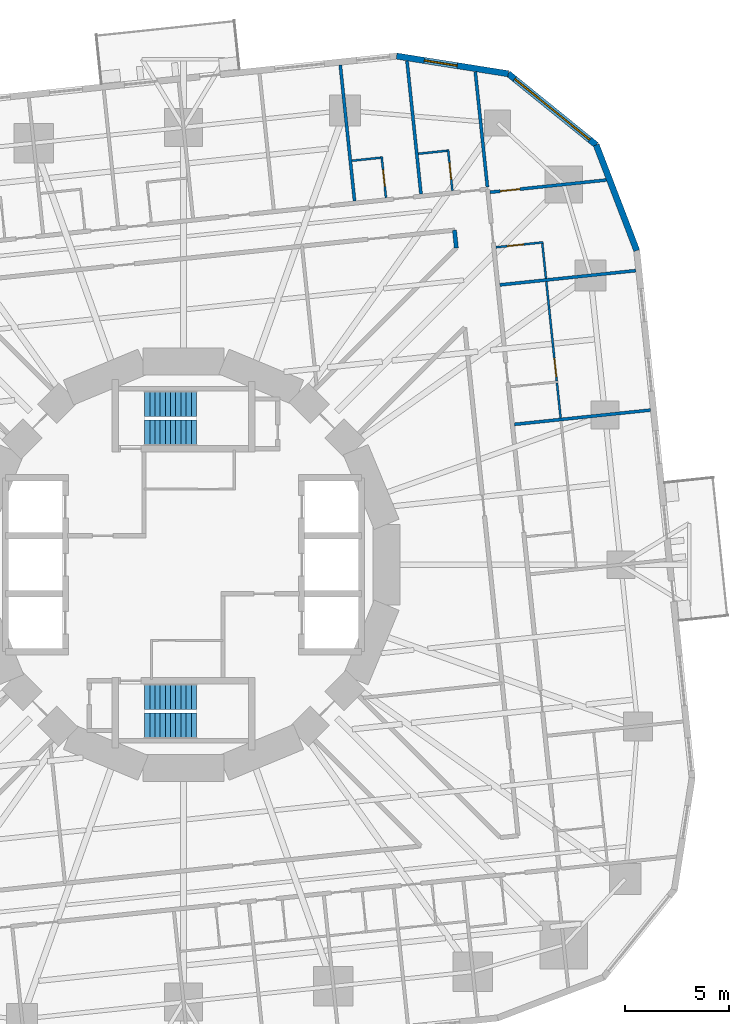
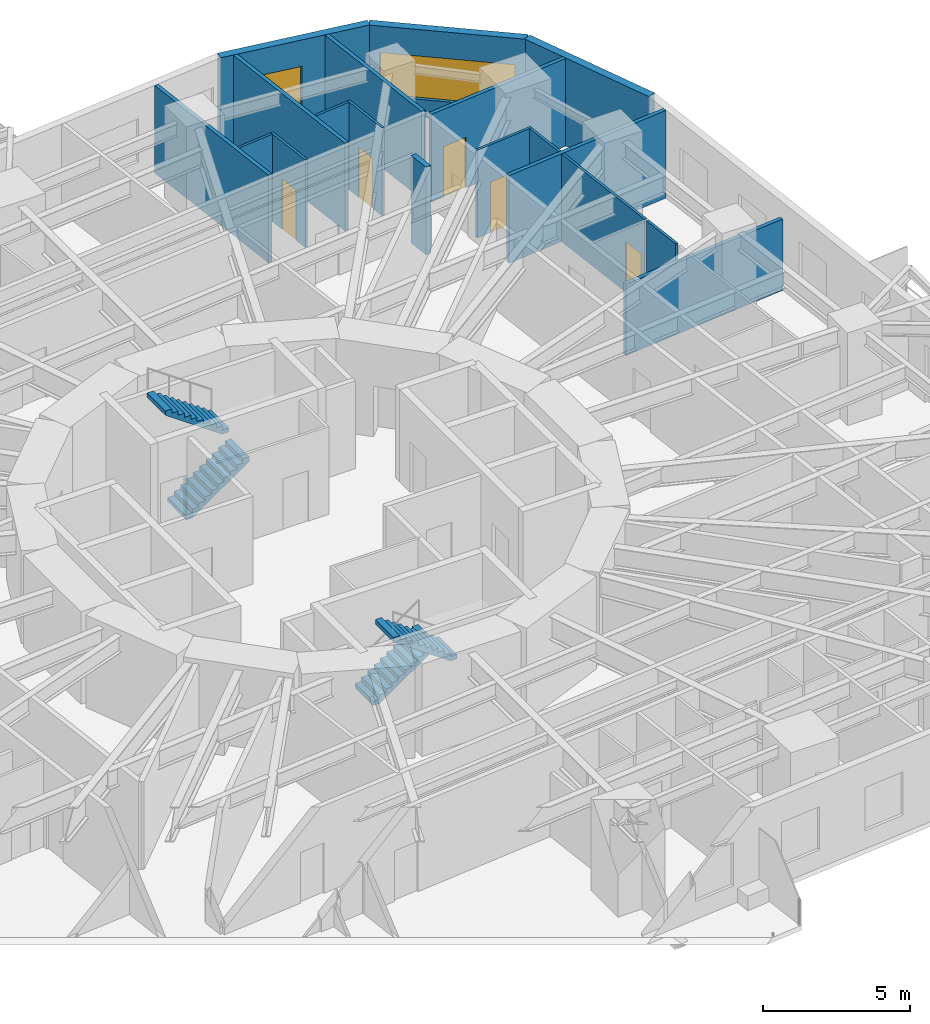
# One storey, part 11 of 13: 18 walls, 5 doors, 4 stair flights, 2 windows, 7 openings, 2 elements without a shape of their own.
"""IFC4 building model written with IfcOpenShell, lengths in metres."""

from ifc_helpers import new_model, si_unit, direction, frame, frame_2d, origin, place, context, subcontext, project, spatial, polyline, rectangle, outline, extrude, material, layer, layer_set, type_object, element, fill, aggregate, save


model = new_model("IFC4")

# Units and contexts
model_context = context("Model", 3, precision=1e-05, world=origin(), true_north=direction((0.0, 1.0)))
body_context = subcontext(model_context, "Body", "Model", "MODEL_VIEW")
ifc_project = project(units=[si_unit("LENGTHUNIT", "METRE"), si_unit("AREAUNIT", "SQUARE_METRE"), si_unit("VOLUMEUNIT", "CUBIC_METRE"), si_unit("PLANEANGLEUNIT", "RADIAN"), si_unit("MASSUNIT", "GRAM", prefix="KILO")], contexts=[model_context])

# Site, building, storey
site_placement = place(None, origin())
site = spatial("IfcSite", under=ifc_project, at=site_placement, CompositionType="ELEMENT")
building_placement = place(site_placement, origin())
building = spatial("IfcBuilding", under=site, at=building_placement, Name="Nakasero Lantern House", CompositionType="ELEMENT")
storey_placement = place(building_placement, frame((0.0, 0.0, 79.75)))
storey = spatial("IfcBuildingStorey", under=building, at=storey_placement, Name="L19", CompositionType="ELEMENT", Elevation=79.75)

# Walls
ifc_material_1 = material(Name="Blockwork", Category="masonry")
ifc_layer_1 = layer(ifc_material_1, 0.199951171875)
ifc_layer_set_1 = layer_set([ifc_layer_1], Name="Corridor wall 200")
wall_type_1 = type_object("IfcWallType", Name="Corridor wall 200", PredefinedType="PARTITIONING", material=ifc_layer_set_1)
wall_1_placement = place(storey_placement, frame((13.0830078125, 16.156005859375, 0.0), z_axis=(0.0, 0.0, 1.0), x_axis=(0.104303245505, -0.994545540927, 0.0)))
element("IfcWall", 1, at=wall_1_placement, inside=storey, type_object=wall_type_1, Name="Corridor wall L19 IW1-0R0", PredefinedType="PARTITIONING", context=body_context, shape_type="SweptSolid", body=[
    extrude(rectangle(XDim=0.865966796875, YDim=0.199951171875, at=frame_2d((0.43310546875, 0.0))), origin(), (0.0, 0.0, 1.0), 3.64990234375),
])
ifc_material_2 = material(Name="Blockwork", Category="masonry")
ifc_layer_2 = layer(ifc_material_2, 0.10009765625)
ifc_layer_set_2 = layer_set([ifc_layer_2], Name="En-suite wall 100")
wall_type_2 = type_object("IfcWallType", Name="En-suite wall 100", PredefinedType="PARTITIONING", material=ifc_layer_set_2)
wall_2_placement = place(storey_placement, frame((18.208984375, 7.087158203125, 0.0), z_axis=(0.0, 0.0, 1.0), x_axis=(-0.104550220202, 0.994519608382, 0.0)))
element("IfcWall", 2, at=wall_2_placement, inside=storey, type_object=wall_type_2, Name="En-suite wall L19 EE0-06", PredefinedType="PARTITIONING", context=body_context, shape_type="SweptSolid", body=[
    extrude(rectangle(XDim=1.699951171875, YDim=0.10009765625, at=frame_2d((0.85009765625, 0.0))), origin(), (0.0, 0.0, 1.0), 3.64990234375),
])

# Wall, opening, door
wall_3_placement = place(storey_placement, frame((15.08056640625, 15.326416015625, 0.0), z_axis=(0.0, 0.0, 1.0), x_axis=(0.994518822602, 0.104557694553, 0.0)))
wall_3 = element("IfcWall", 3, at=wall_3_placement, inside=storey, type_object=wall_type_2, Name="En-suite wall L19 ES0-08", PredefinedType="PARTITIONING", context=body_context, shape_type="SweptSolid", body=[
    extrude(rectangle(XDim=2.300048828125, YDim=0.10009765625, at=frame_2d((1.14990234375, 0.0))), origin(), (0.0, 0.0, 1.0), 3.64990234375),
])
opening_1_placement = place(wall_3_placement, frame((0.550048828125, 0.0, 0.0)))
opening_1 = element("IfcOpeningElement", 4, at=opening_1_placement, cuts=wall_3, Name="Opening D02", PredefinedType="OPENING", context=body_context, shape_type="SweptSolid", body=[
    extrude(rectangle(XDim=0.800048828125, YDim=2.10009765625, at=frame_2d((0.39990234375, 1.050048828125))), frame((0.0, 0.070068359375, 0.0), z_axis=(0.0, -1.0, 0.0), x_axis=(1.0, 0.0, 0.0)), (0.0, 0.0, 1.0), 0.14013671875),
])
ifc_material_3 = material(Name="Timber C24", Category="wood")
door_type_1 = type_object("IfcDoorType", Name="En-suite door 800", OperationType="SINGLE_SWING_RIGHT", PredefinedType="DOOR", material=ifc_material_3)
door_1_placement = place(opening_1_placement, origin())
door_1 = element("IfcDoor", 5, at=door_1_placement, inside=storey, type_object=door_type_1, Name="Door L19 DE0-08", OperationType="SINGLE_SWING_LEFT", OverallHeight=2.10009765625, OverallWidth=0.800048828125, PredefinedType="DOOR", context=body_context, shape_type="SweptSolid", body=[
    extrude(rectangle(XDim=0.800048828125, YDim=2.10009765625, at=frame_2d((0.39990234375, 1.050048828125))), frame((0.0, 0.02490234375, 0.0), z_axis=(0.0, -1.0, 0.0), x_axis=(1.0, 0.0, 0.0)), (0.0, 0.0, 1.0), 0.050048828125),
])
fill(opening_1, door_1)

# Wall
wall_4_placement = place(storey_placement, frame((17.501220703125, 13.8212890625, 0.0), z_axis=(0.0, 0.0, 1.0), x_axis=(-0.104550220202, 0.994519608382, 0.0)))
element("IfcWall", 6, at=wall_4_placement, inside=storey, type_object=wall_type_2, Name="En-suite wall L19 EE0-08", PredefinedType="PARTITIONING", context=body_context, shape_type="SweptSolid", body=[
    extrude(rectangle(XDim=1.699951171875, YDim=0.10009765625, at=frame_2d((0.85009765625, 0.0))), origin(), (0.0, 0.0, 1.0), 3.64990234375),
])

# Wall, opening, door
wall_5_placement = place(storey_placement, frame((12.9833984375, 18.05615234375, 0.0), z_axis=(0.0, 0.0, 1.0), x_axis=(-0.104494148666, 0.99452550138, 0.0)))
wall_5 = element("IfcWall", 7, at=wall_5_placement, inside=storey, type_object=wall_type_2, Name="En-suite wall L19 ES1-00", PredefinedType="PARTITIONING", context=body_context, shape_type="SweptSolid", body=[
    extrude(rectangle(XDim=2.0, YDim=0.10009765625, at=frame_2d((1.0, 0.0))), origin(), (0.0, 0.0, 1.0), 3.64990234375),
])
opening_2_placement = place(wall_5_placement, frame((0.550048828125, 0.0, 0.0)))
opening_2 = element("IfcOpeningElement", 8, at=opening_2_placement, cuts=wall_5, Name="Opening D02", PredefinedType="OPENING", context=body_context, shape_type="SweptSolid", body=[
    extrude(rectangle(XDim=0.800048828125, YDim=2.10009765625, at=frame_2d((0.39990234375, 1.050048828125))), frame((0.0, 0.070068359375, 0.0), z_axis=(0.0, -1.0, 0.0), x_axis=(1.0, 0.0, 0.0)), (0.0, 0.0, 1.0), 0.14013671875),
])
door_2_placement = place(opening_2_placement, origin())
door_2 = element("IfcDoor", 9, at=door_2_placement, inside=storey, type_object=door_type_1, Name="Door L19 DE1-00", OperationType="SINGLE_SWING_LEFT", OverallHeight=2.10009765625, OverallWidth=0.800048828125, PredefinedType="DOOR", context=body_context, shape_type="SweptSolid", body=[
    extrude(rectangle(XDim=0.800048828125, YDim=2.10009765625, at=frame_2d((0.39990234375, 1.050048828125))), frame((0.0, 0.02490234375, 0.0), z_axis=(0.0, -1.0, 0.0), x_axis=(1.0, 0.0, 0.0)), (0.0, 0.0, 1.0), 0.050048828125),
])
fill(opening_2, door_2)

# Wall
wall_6_placement = place(storey_placement, frame((12.72998046875, 19.990234375, 0.0), z_axis=(0.0, 0.0, 1.0), x_axis=(-0.994511184598, -0.104630319263, 0.0)))
element("IfcWall", 10, at=wall_6_placement, inside=storey, type_object=wall_type_2, Name="En-suite wall L19 EE1-00", PredefinedType="PARTITIONING", context=body_context, shape_type="SweptSolid", body=[
    extrude(rectangle(XDim=1.39990234375, YDim=0.10009765625, at=frame_2d((0.699951171875, 0.0))), origin(), (0.0, 0.0, 1.0), 3.64990234375),
])

# Wall, opening, door
wall_7_placement = place(storey_placement, frame((9.77587890625, 17.718994140625, 0.0), z_axis=(0.0, 0.0, 1.0), x_axis=(-0.104614886044, 0.994512808172, 0.0)))
wall_7 = element("IfcWall", 11, at=wall_7_placement, inside=storey, type_object=wall_type_2, Name="En-suite wall L19 ES1-01", PredefinedType="PARTITIONING", context=body_context, shape_type="SweptSolid", body=[
    extrude(rectangle(XDim=2.0, YDim=0.10009765625, at=frame_2d((1.0, 0.0))), origin(), (0.0, 0.0, 1.0), 3.64990234375),
])
opening_3_placement = place(wall_7_placement, frame((0.550048828125, 0.0, 0.0)))
opening_3 = element("IfcOpeningElement", 12, at=opening_3_placement, cuts=wall_7, Name="Opening D02", PredefinedType="OPENING", context=body_context, shape_type="SweptSolid", body=[
    extrude(rectangle(XDim=0.800048828125, YDim=2.10009765625, at=frame_2d((0.39990234375, 1.050048828125))), frame((0.0, 0.070068359375, 0.0), z_axis=(0.0, -1.0, 0.0), x_axis=(1.0, 0.0, 0.0)), (0.0, 0.0, 1.0), 0.14013671875),
])
door_3_placement = place(opening_3_placement, origin())
door_3 = element("IfcDoor", 13, at=door_3_placement, inside=storey, type_object=door_type_1, Name="Door L19 DE1-01", OperationType="SINGLE_SWING_LEFT", OverallHeight=2.10009765625, OverallWidth=0.800048828125, PredefinedType="DOOR", context=body_context, shape_type="SweptSolid", body=[
    extrude(rectangle(XDim=0.800048828125, YDim=2.10009765625, at=frame_2d((0.39990234375, 1.050048828125))), frame((0.0, 0.02490234375, 0.0), z_axis=(0.0, -1.0, 0.0), x_axis=(1.0, 0.0, 0.0)), (0.0, 0.0, 1.0), 0.050048828125),
])
fill(opening_3, door_3)

# Wall
wall_8_placement = place(storey_placement, frame((9.522216796875, 19.653076171875, 0.0), z_axis=(0.0, 0.0, 1.0), x_axis=(-0.994511184598, -0.104630319263, 0.0)))
element("IfcWall", 14, at=wall_8_placement, inside=storey, type_object=wall_type_2, Name="En-suite wall L19 EE1-01", PredefinedType="PARTITIONING", context=body_context, shape_type="SweptSolid", body=[
    extrude(rectangle(XDim=1.39990234375, YDim=0.10009765625, at=frame_2d((0.699951171875, 0.0))), origin(), (0.0, 0.0, 1.0), 3.64990234375),
])

# Wall, opening, door
wall_9_placement = place(storey_placement, frame((18.020751953125, 8.87744140625, 0.0), z_axis=(0.0, 0.0, 1.0), x_axis=(-0.104521347102, 0.994522643282, 0.0)))
wall_9 = element("IfcWall", 15, at=wall_9_placement, inside=storey, type_object=wall_type_2, Name="En-suite wall L19 EL0-06", PredefinedType="PARTITIONING", context=body_context, shape_type="SweptSolid", body=[
    extrude(rectangle(XDim=4.821044921875, YDim=0.10009765625, at=frame_2d((2.41064453125, 0.0))), origin(), (0.0, 0.0, 1.0), 3.64990234375),
])
opening_4_placement = place(wall_9_placement, frame((0.199951171875, 0.0, 0.0)))
opening_4 = element("IfcOpeningElement", 16, at=opening_4_placement, cuts=wall_9, Name="Opening D17", PredefinedType="OPENING", context=body_context, shape_type="SweptSolid", body=[
    extrude(rectangle(XDim=0.89990234375, YDim=2.10009765625, at=frame_2d((0.449951171875, 1.050048828125))), frame((0.0, 0.070068359375, 0.0), z_axis=(0.0, -1.0, 0.0), x_axis=(1.0, 0.0, 0.0)), (0.0, 0.0, 1.0), 0.14013671875),
])
ifc_material_4 = material(Name="Timber C24", Category="wood")
door_type_2 = type_object("IfcDoorType", Name="Bedroom door FD30S 900", OperationType="SINGLE_SWING_LEFT", PredefinedType="DOOR", material=ifc_material_4)
door_4_placement = place(opening_4_placement, origin())
door_4 = element("IfcDoor", 17, at=door_4_placement, inside=storey, type_object=door_type_2, Name="Door L19 DL0-06", OperationType="SINGLE_SWING_LEFT", OverallHeight=2.10009765625, OverallWidth=0.89990234375, PredefinedType="DOOR", context=body_context, shape_type="SweptSolid", body=[
    extrude(rectangle(XDim=0.89990234375, YDim=2.10009765625, at=frame_2d((0.449951171875, 1.050048828125))), frame((0.0, 0.02490234375, 0.0), z_axis=(0.0, -1.0, 0.0), x_axis=(1.0, 0.0, 0.0)), (0.0, 0.0, 1.0), 0.050048828125),
])
fill(opening_4, door_4)

# Wall
ifc_material_5 = material(Name="Aluminium rainscreen on blockwork", Category="masonry")
ifc_layer_3 = layer(ifc_material_5, 0.300048828125)
ifc_layer_set_3 = layer_set([ifc_layer_3], Name="Facade wall 300")
wall_type_3 = type_object("IfcWallType", Name="Facade wall 300", PredefinedType="SOLIDWALL", material=ifc_layer_set_3)
wall_10_placement = place(storey_placement, frame((21.884033203125, 15.170654296875, 0.0), z_axis=(0.0, 0.0, 1.0), x_axis=(-0.358358884793, 0.933583906079, 0.0)))
element("IfcWall", 18, at=wall_10_placement, inside=storey, type_object=wall_type_3, Name="Facade wall L19 FW0C1", PredefinedType="SOLIDWALL", context=body_context, shape_type="SweptSolid", body=[
    extrude(rectangle(XDim=5.461181640625, YDim=0.300048828125, at=frame_2d((2.73046875, 0.0))), origin(), (0.0, 0.0, 1.0), 3.64990234375),
])

# Wall, opening, window
wall_11_placement = place(storey_placement, frame((19.927001953125, 20.26904296875, 0.0), z_axis=(0.0, 0.0, 1.0), x_axis=(-0.777134500863, 0.629334543442, 0.0)))
wall_11 = element("IfcWall", 19, at=wall_11_placement, inside=storey, type_object=wall_type_3, Name="Facade wall L19 FW0C2", PredefinedType="SOLIDWALL", context=body_context, shape_type="SweptSolid", body=[
    extrude(rectangle(XDim=5.4609375, YDim=0.300048828125, at=frame_2d((2.73046875, 0.0))), origin(), (0.0, 0.0, 1.0), 3.64990234375),
])
opening_5_placement = place(wall_11_placement, frame((0.39990234375, 0.0, 0.75)))
opening_5 = element("IfcOpeningElement", 20, at=opening_5_placement, cuts=wall_11, Name="Opening W246", PredefinedType="OPENING", context=body_context, shape_type="SweptSolid", body=[
    extrude(rectangle(XDim=4.660888671875, YDim=1.800048828125, at=frame_2d((2.33056640625, 0.89990234375))), frame((0.0, 0.169921875, 0.0), z_axis=(0.0, -1.0, 0.0), x_axis=(1.0, 0.0, 0.0)), (0.0, 0.0, 1.0), 0.340087890625),
])
ifc_material_6 = material(Name="Aluminium 6063-T6 and glass", Category="aluminium")
window_type_1 = type_object("IfcWindowType", Name="Corner window 4661x1800", PartitioningType="SINGLE_PANEL", PredefinedType="WINDOW", material=ifc_material_6)
window_1_placement = place(opening_5_placement, origin())
window_1 = element("IfcWindow", 21, at=window_1_placement, inside=storey, type_object=window_type_1, Name="Window L19 WC0", OverallHeight=1.800048828125, OverallWidth=4.660888671875, PartitioningType="SINGLE_PANEL", PredefinedType="WINDOW", context=body_context, shape_type="SweptSolid", body=[
    extrude(rectangle(XDim=4.660888671875, YDim=1.800048828125, at=frame_2d((2.33056640625, 0.89990234375))), frame((0.0, 0.030029296875, 0.0), z_axis=(0.0, -1.0, 0.0), x_axis=(1.0, 0.0, 0.0)), (0.0, 0.0, 1.0), 0.06005859375),
])
fill(opening_5, window_1)

wall_12_placement = place(storey_placement, frame((15.68310546875, 23.705810546875, 0.0), z_axis=(0.0, 0.0, 1.0), x_axis=(-0.987690729142, 0.156419383601, 0.0)))
wall_12 = element("IfcWall", 22, at=wall_12_placement, inside=storey, type_object=wall_type_3, Name="Facade wall L19 FW0C3", PredefinedType="SOLIDWALL", context=body_context, shape_type="SweptSolid", body=[
    extrude(rectangle(XDim=5.461181640625, YDim=0.300048828125, at=frame_2d((2.73046875, 0.0))), origin(), (0.0, 0.0, 1.0), 3.64990234375),
])
opening_6_placement = place(wall_12_placement, frame((2.5, 0.0, 0.75)))
opening_6 = element("IfcOpeningElement", 23, at=opening_6_placement, cuts=wall_12, Name="Opening W01", PredefinedType="OPENING", context=body_context, shape_type="SweptSolid", body=[
    extrude(rectangle(XDim=1.60009765625, YDim=1.800048828125, at=frame_2d((0.800048828125, 0.89990234375))), frame((0.0, 0.169921875, 0.0), z_axis=(0.0, -1.0, 0.0), x_axis=(1.0, 0.0, 0.0)), (0.0, 0.0, 1.0), 0.340087890625),
])
ifc_material_7 = material(Name="Aluminium 6063-T6 and glass", Category="aluminium")
window_type_2 = type_object("IfcWindowType", Name="Bedroom window 1600x1800", PartitioningType="SINGLE_PANEL", PredefinedType="WINDOW", material=ifc_material_7)
window_2_placement = place(opening_6_placement, origin())
window_2 = element("IfcWindow", 24, at=window_2_placement, inside=storey, type_object=window_type_2, Name="Window L19 WN1-00", OverallHeight=1.800048828125, OverallWidth=1.60009765625, PartitioningType="SINGLE_PANEL", PredefinedType="WINDOW", context=body_context, shape_type="SweptSolid", body=[
    extrude(rectangle(XDim=1.60009765625, YDim=1.800048828125, at=frame_2d((0.800048828125, 0.89990234375))), frame((0.0, 0.030029296875, 0.0), z_axis=(0.0, -1.0, 0.0), x_axis=(1.0, 0.0, 0.0)), (0.0, 0.0, 1.0), 0.06005859375),
])
fill(opening_6, window_2)

# Walls
ifc_material_8 = material(Name="Blockwork", Category="masonry")
ifc_layer_4 = layer(ifc_material_8, 0.14990234375)
ifc_layer_set_4 = layer_set([ifc_layer_4], Name="Party wall 150")
wall_type_4 = type_object("IfcWallType", Name="Party wall 150", PredefinedType="PARTITIONING", material=ifc_layer_set_4)
wall_13_placement = place(storey_placement, frame((15.97900390625, 6.77734375, 0.0), z_axis=(0.0, 0.0, 1.0), x_axis=(0.994521251134, 0.104534592565, 0.0)))
element("IfcWall", 25, at=wall_13_placement, inside=storey, type_object=wall_type_4, Name="Party wall L19 PW0-06", PredefinedType="PARTITIONING", context=body_context, shape_type="SweptSolid", body=[
    extrude(rectangle(XDim=6.60009765625, YDim=0.14990234375, at=frame_2d((3.300048828125, 0.0))), origin(), (0.0, 0.0, 1.0), 2.966552734375),
])
wall_14_placement = place(storey_placement, frame((15.271240234375, 13.511474609375, 0.0), z_axis=(0.0, 0.0, 1.0), x_axis=(0.994521251134, 0.104534592565, 0.0)))
element("IfcWall", 26, at=wall_14_placement, inside=storey, type_object=wall_type_4, Name="Party wall L19 PW0-08", PredefinedType="PARTITIONING", context=body_context, shape_type="SweptSolid", body=[
    extrude(rectangle(XDim=6.60009765625, YDim=0.14990234375, at=frame_2d((3.300048828125, 0.0))), origin(), (0.0, 0.0, 1.0), 3.64990234375),
])

# Wall, opening, door
wall_15_placement = place(storey_placement, frame((14.801025390625, 17.9853515625, 0.0), z_axis=(0.0, 0.0, 1.0), x_axis=(0.994522751177, 0.104520320471, 0.0)))
wall_15 = element("IfcWall", 27, at=wall_15_placement, inside=storey, type_object=wall_type_4, Name="Party wall L19 PC0", PredefinedType="PARTITIONING", context=body_context, shape_type="SweptSolid", body=[
    extrude(rectangle(XDim=5.64111328125, YDim=0.14990234375, at=frame_2d((2.820556640625, 0.0))), origin(), (0.0, 0.0, 1.0), 3.64990234375),
])
opening_7_placement = place(wall_15_placement, frame((0.5, 0.0, 0.0)))
opening_7 = element("IfcOpeningElement", 28, at=opening_7_placement, cuts=wall_15, Name="Opening D01", PredefinedType="OPENING", context=body_context, shape_type="SweptSolid", body=[
    extrude(rectangle(XDim=0.949951171875, YDim=2.10009765625, at=frame_2d((0.47509765625, 1.050048828125))), frame((0.0, 0.094970703125, 0.0), z_axis=(0.0, -1.0, 0.0), x_axis=(1.0, 0.0, 0.0)), (0.0, 0.0, 1.0), 0.18994140625),
])
ifc_material_9 = material(Name="Timber C24", Category="wood")
door_type_3 = type_object("IfcDoorType", Name="Bedroom door FD30S 950", OperationType="SINGLE_SWING_LEFT", PredefinedType="DOOR", material=ifc_material_9)
door_5_placement = place(opening_7_placement, origin())
door_5 = element("IfcDoor", 29, at=door_5_placement, inside=storey, type_object=door_type_3, Name="Door L19 DC0", OperationType="SINGLE_SWING_LEFT", OverallHeight=2.10009765625, OverallWidth=0.949951171875, PredefinedType="DOOR", context=body_context, shape_type="SweptSolid", body=[
    extrude(rectangle(XDim=0.949951171875, YDim=2.10009765625, at=frame_2d((0.47509765625, 1.050048828125))), frame((0.0, 0.02490234375, 0.0), z_axis=(0.0, -1.0, 0.0), x_axis=(1.0, 0.0, 0.0)), (0.0, 0.0, 1.0), 0.050048828125),
])
fill(opening_7, door_5)

# Walls
wall_16_placement = place(storey_placement, frame((14.674560546875, 18.23388671875, 0.0), z_axis=(0.0, 0.0, 1.0), x_axis=(-0.104541754786, 0.994520498284, 0.0)))
element("IfcWall", 30, at=wall_16_placement, inside=storey, type_object=wall_type_4, Name="Party wall L19 PW1-00", PredefinedType="PARTITIONING", context=body_context, shape_type="SweptSolid", body=[
    extrude(rectangle(XDim=5.597900390625, YDim=0.14990234375, at=frame_2d((2.798828125, 0.0))), origin(), (0.0, 0.0, 1.0), 3.64990234375),
])
wall_17_placement = place(storey_placement, frame((11.466796875, 17.896728515625, 0.0), z_axis=(0.0, 0.0, 1.0), x_axis=(-0.10453728607, 0.994520968015, 0.0)))
element("IfcWall", 31, at=wall_17_placement, inside=storey, type_object=wall_type_4, Name="Party wall L19 PW1-01", PredefinedType="PARTITIONING", context=body_context, shape_type="SweptSolid", body=[
    extrude(rectangle(XDim=6.462158203125, YDim=0.14990234375, at=frame_2d((3.23095703125, 0.0))), origin(), (0.0, 0.0, 1.0), 3.64990234375),
])
wall_18_placement = place(storey_placement, frame((8.25927734375, 17.5595703125, 0.0), z_axis=(0.0, 0.0, 1.0), x_axis=(-0.104538438287, 0.994520846901, 0.0)))
element("IfcWall", 32, at=wall_18_placement, inside=storey, type_object=wall_type_4, Name="Party wall L19 PW1-02", PredefinedType="PARTITIONING", context=body_context, shape_type="SweptSolid", body=[
    extrude(rectangle(XDim=6.599853515625, YDim=0.14990234375, at=frame_2d((3.2998046875, 0.0))), origin(), (0.0, 0.0, 1.0), 3.64990234375),
])

# Stair, stair flights
ifc_material_10 = material(Name="Concrete C40/50", Category="concrete")
stair_type_1 = type_object("IfcStairType", Name="Escape stair ST1 22 risers", PredefinedType="HALF_TURN_STAIR", material=ifc_material_10)
stair_1_placement = place(storey_placement, origin())
stair_1 = element("IfcStair", 33, at=stair_1_placement, inside=storey, type_object=stair_type_1, Name="Escape stair ST1 L19", PredefinedType="HALF_TURN_STAIR")
ifc_material_11 = material(Name="Concrete C40/50", Category="concrete")
stair_flight_type = type_object("IfcStairFlightType", Name="Escape stair flight", PredefinedType="STRAIGHT", material=ifc_material_11)
stair_flight_1_placement = place(storey_placement, frame((-1.875, 6.375, 0.0), z_axis=(0.0, 0.0, 1.0), x_axis=(1.0, 0.0, 0.0)))
stair_flight_1 = element("IfcStairFlight", 34, at=stair_flight_1_placement, type_object=stair_flight_type, Name="ST1 flight 1", NumberOfRisers=11, NumberOfTreads=10, PredefinedType="STRAIGHT", RiserHeight=0.175, TreadLength=0.25, context=body_context, shape_type="SweptSolid", body=[
    extrude(outline(polyline([(0.0, 0.0), (0.0, 0.175048828125), (0.25, 0.175048828125), (0.25, 0.35009765625), (0.5, 0.35009765625), (0.5, 0.52490234375), (0.75, 0.52490234375), (0.75, 0.699951171875), (1.0, 0.699951171875), (1.0, 0.875), (1.25, 0.875), (1.25, 1.050048828125), (1.5, 1.050048828125), (1.5, 1.22509765625), (1.75, 1.22509765625), (1.75, 1.39990234375), (2.0, 1.39990234375), (2.0, 1.574951171875), (2.25, 1.574951171875), (2.25, 1.75), (2.5, 1.75), (2.5, 1.925048828125), (2.5, 1.567138671875), (0.261474609375, 0.0), (0.0, 0.0)])), frame((0.0, 0.625, 0.0), z_axis=(0.0, -1.0, 0.0), x_axis=(1.0, 0.0, 0.0)), (0.0, 0.0, 1.0), 1.25),
])
stair_flight_2_placement = place(storey_placement, frame((0.625, 7.77490234375, 1.925048828125), z_axis=(0.0, 0.0, 1.0), x_axis=(-1.0, 0.0, 0.0)))
stair_flight_2 = element("IfcStairFlight", 35, at=stair_flight_2_placement, type_object=stair_flight_type, Name="ST1 flight 2", NumberOfRisers=11, NumberOfTreads=10, PredefinedType="STRAIGHT", RiserHeight=0.175, TreadLength=0.25, context=body_context, shape_type="SweptSolid", body=[
    extrude(outline(polyline([(0.0, 0.0), (0.0, 0.175048828125), (0.25, 0.175048828125), (0.25, 0.35009765625), (0.5, 0.35009765625), (0.5, 0.52490234375), (0.75, 0.52490234375), (0.75, 0.699951171875), (1.0, 0.699951171875), (1.0, 0.875), (1.25, 0.875), (1.25, 1.050048828125), (1.5, 1.050048828125), (1.5, 1.22509765625), (1.75, 1.22509765625), (1.75, 1.39990234375), (2.0, 1.39990234375), (2.0, 1.574951171875), (2.25, 1.574951171875), (2.25, 1.75), (2.5, 1.75), (2.5, 1.925048828125), (2.5, 1.567138671875), (0.261474609375, 0.0), (0.0, 0.0)])), frame((0.0, 0.625, 0.0), z_axis=(0.0, -1.0, 0.0), x_axis=(1.0, 0.0, 0.0)), (0.0, 0.0, 1.0), 1.25),
])
aggregate(stair_1, [stair_flight_1, stair_flight_2])

ifc_material_12 = material(Name="Concrete C40/50", Category="concrete")
stair_type_2 = type_object("IfcStairType", Name="Escape stair ST2 22 risers", PredefinedType="HALF_TURN_STAIR", material=ifc_material_12)
stair_2_placement = place(storey_placement, origin())
stair_2 = element("IfcStair", 36, at=stair_2_placement, inside=storey, type_object=stair_type_2, Name="Escape stair ST2 L19", PredefinedType="HALF_TURN_STAIR")
stair_flight_3_placement = place(storey_placement, frame((-1.875, -6.375, 0.0), z_axis=(0.0, 0.0, 1.0), x_axis=(1.0, 0.0, 0.0)))
stair_flight_3 = element("IfcStairFlight", 37, at=stair_flight_3_placement, type_object=stair_flight_type, Name="ST2 flight 1", NumberOfRisers=11, NumberOfTreads=10, PredefinedType="STRAIGHT", RiserHeight=0.175, TreadLength=0.25, context=body_context, shape_type="SweptSolid", body=[
    extrude(outline(polyline([(0.0, 0.0), (0.0, 0.175048828125), (0.25, 0.175048828125), (0.25, 0.35009765625), (0.5, 0.35009765625), (0.5, 0.52490234375), (0.75, 0.52490234375), (0.75, 0.699951171875), (1.0, 0.699951171875), (1.0, 0.875), (1.25, 0.875), (1.25, 1.050048828125), (1.5, 1.050048828125), (1.5, 1.22509765625), (1.75, 1.22509765625), (1.75, 1.39990234375), (2.0, 1.39990234375), (2.0, 1.574951171875), (2.25, 1.574951171875), (2.25, 1.75), (2.5, 1.75), (2.5, 1.925048828125), (2.5, 1.567138671875), (0.261474609375, 0.0), (0.0, 0.0)])), frame((0.0, 0.625, 0.0), z_axis=(0.0, -1.0, 0.0), x_axis=(1.0, 0.0, 0.0)), (0.0, 0.0, 1.0), 1.25),
])
stair_flight_4_placement = place(storey_placement, frame((0.625, -7.77490234375, 1.925048828125), z_axis=(0.0, 0.0, 1.0), x_axis=(-1.0, 0.0, 0.0)))
stair_flight_4 = element("IfcStairFlight", 38, at=stair_flight_4_placement, type_object=stair_flight_type, Name="ST2 flight 2", NumberOfRisers=11, NumberOfTreads=10, PredefinedType="STRAIGHT", RiserHeight=0.175, TreadLength=0.25, context=body_context, shape_type="SweptSolid", body=[
    extrude(outline(polyline([(0.0, 0.0), (0.0, 0.175048828125), (0.25, 0.175048828125), (0.25, 0.35009765625), (0.5, 0.35009765625), (0.5, 0.52490234375), (0.75, 0.52490234375), (0.75, 0.699951171875), (1.0, 0.699951171875), (1.0, 0.875), (1.25, 0.875), (1.25, 1.050048828125), (1.5, 1.050048828125), (1.5, 1.22509765625), (1.75, 1.22509765625), (1.75, 1.39990234375), (2.0, 1.39990234375), (2.0, 1.574951171875), (2.25, 1.574951171875), (2.25, 1.75), (2.5, 1.75), (2.5, 1.925048828125), (2.5, 1.567138671875), (0.261474609375, 0.0), (0.0, 0.0)])), frame((0.0, 0.625, 0.0), z_axis=(0.0, -1.0, 0.0), x_axis=(1.0, 0.0, 0.0)), (0.0, 0.0, 1.0), 1.25),
])
aggregate(stair_2, [stair_flight_3, stair_flight_4])

save(model, "model.ifc")
